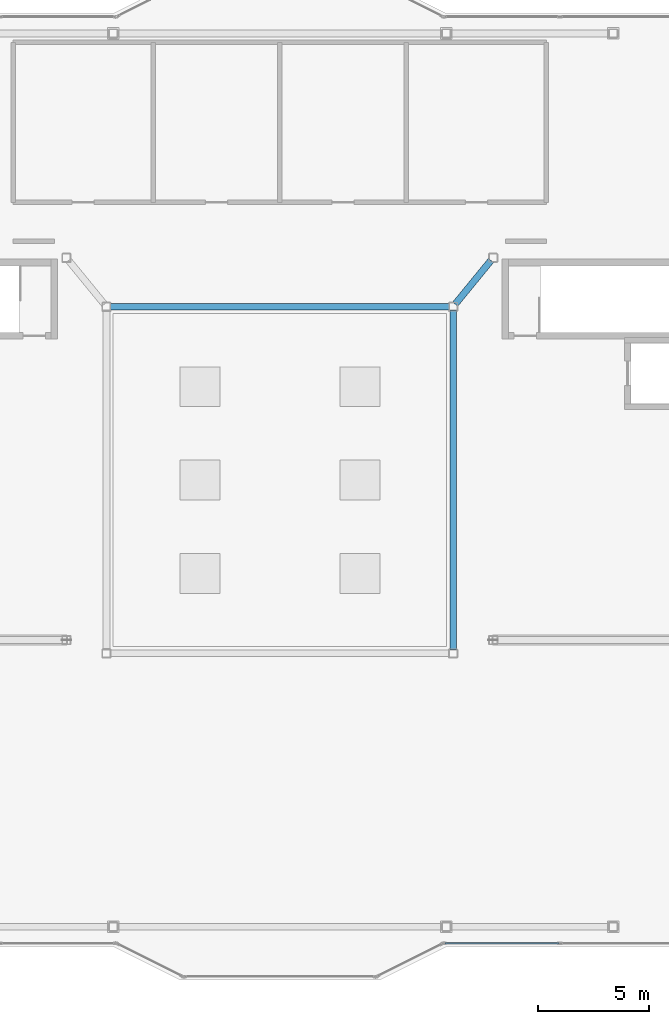
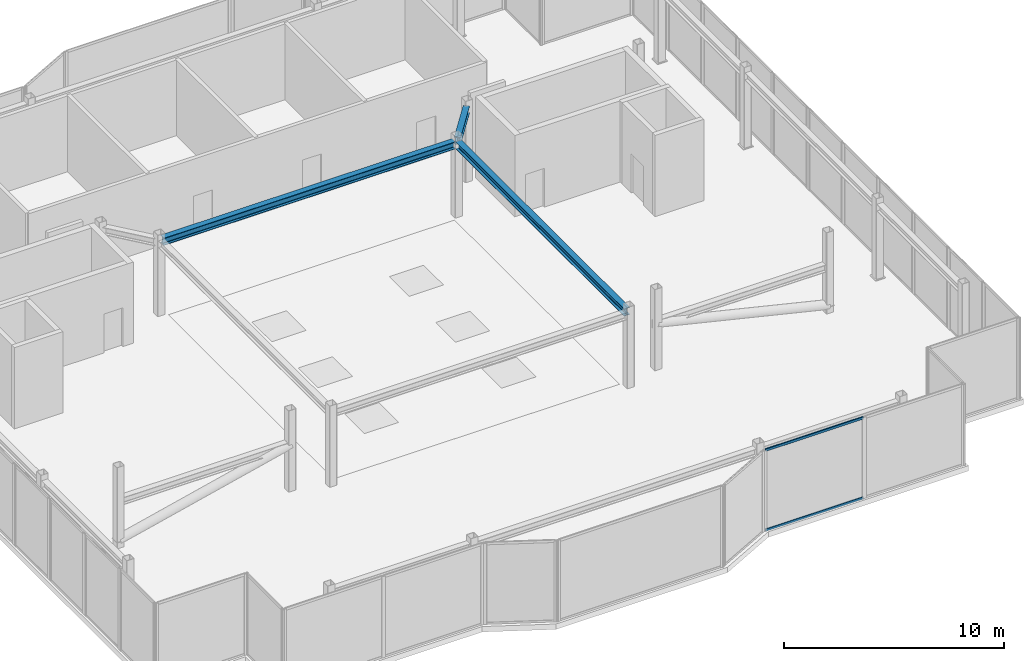
# One storey, part 7 of 18: 3 beams, 2 members, 1 element without a shape of its own.
"""IFC4 building model written with IfcOpenShell, lengths in metres."""

from ifc_helpers import new_model, si_unit, direction, frame, origin, origin_2d, place, context, subcontext, project, spatial, hollow_rectangle, i_section, extrude, material, layer, layer_set, material_profile, profile_set, type_object, element, aggregate, save


model = new_model("IFC4")

# Units and contexts
model_context = context("Model", 3, precision=1e-05, world=origin(), true_north=direction((0.0, 1.0)))
body_context = subcontext(model_context, "Body", "Model", "MODEL_VIEW")
ifc_project = project(units=[si_unit("LENGTHUNIT", "METRE"), si_unit("AREAUNIT", "SQUARE_METRE"), si_unit("VOLUMEUNIT", "CUBIC_METRE"), si_unit("PLANEANGLEUNIT", "RADIAN"), si_unit("MASSUNIT", "GRAM", prefix="KILO")], contexts=[model_context])

# Site, building, storey
site_placement = place(None, origin())
site = spatial("IfcSite", under=ifc_project, at=site_placement, CompositionType="ELEMENT")
building_placement = place(site_placement, origin())
building = spatial("IfcBuilding", under=site, at=building_placement, Name="Tarnavaz Court Tower", CompositionType="ELEMENT")
storey_placement = place(building_placement, frame((0.0, 0.0, 281.550048828125)))
storey = spatial("IfcBuildingStorey", under=building, at=storey_placement, Name="C01", CompositionType="ELEMENT", Elevation=281.550048828125)

# Beams
ifc_material_1 = material(Name="Steel S355", Category="steel")
ifc_material_profile_1 = material_profile(ifc_material_1, i_section(OverallWidth=0.300048828125, OverallDepth=0.39990234375, WebThickness=0.013427734375, FlangeThickness=0.02392578125, FilletRadius=0.027099609375, at=origin_2d()), Name="HEB 400")
ifc_profile_set_1 = profile_set([ifc_material_profile_1], Name="Steel S355")
beam_type = type_object("IfcBeamType", Name="BM-G-HEB400", PredefinedType="USERDEFINED", material=ifc_profile_set_1)
beam_1_placement = place(storey_placement, frame((-7.64990234375, 7.800048828125, 4.0), z_axis=(1.0, 0.0, 0.0), x_axis=(0.0, 1.0, 0.0)))
element("IfcBeam", 1, at=beam_1_placement, inside=storey, type_object=beam_type, Name="C01 Beam CRG-IW-NW-IW-NE", ObjectType="GIRDER", PredefinedType="USERDEFINED", context=body_context, shape_type="SweptSolid", body=[
    extrude(i_section(OverallWidth=0.300048828125, OverallDepth=0.39990234375, WebThickness=0.013427734375, FlangeThickness=0.02392578125, FilletRadius=0.027099609375, at=origin_2d()), origin(), (0.0, 0.0, 1.0), 15.2998046875),
])
beam_2_placement = place(storey_placement, frame((9.5048828125, 9.8837890625, 4.0), z_axis=(-0.633206414362, -0.773982969329, 0.0), x_axis=(0.773982969329, -0.633206414362, 0.0)))
element("IfcBeam", 2, at=beam_2_placement, inside=storey, type_object=beam_type, Name="C01 Beam CRG-CE-NI-IW-NE", ObjectType="GIRDER", PredefinedType="USERDEFINED", context=body_context, shape_type="SweptSolid", body=[
    extrude(i_section(OverallWidth=0.300048828125, OverallDepth=0.39990234375, WebThickness=0.013427734375, FlangeThickness=0.02392578125, FilletRadius=0.027099609375, at=origin_2d()), origin(), (0.0, 0.0, 1.0), 2.54248046875),
])
beam_3_placement = place(storey_placement, frame((7.800048828125, -7.64990234375, 4.0), z_axis=(0.0, 1.0, 0.0), x_axis=(-1.0, 0.0, 0.0)))
element("IfcBeam", 3, at=beam_3_placement, inside=storey, type_object=beam_type, Name="C01 Beam CRG-IW-SE-IW-NE", ObjectType="GIRDER", PredefinedType="USERDEFINED", context=body_context, shape_type="SweptSolid", body=[
    extrude(i_section(OverallWidth=0.300048828125, OverallDepth=0.39990234375, WebThickness=0.013427734375, FlangeThickness=0.02392578125, FilletRadius=0.027099609375, at=origin_2d()), origin(), (0.0, 0.0, 1.0), 15.2998046875),
])

# Curtain wall, members
ifc_material_2 = material(Name="Anodised Aluminium 6063-T6 and Solar Low-E Glazing", Category="aluminium")
ifc_layer = layer(ifc_material_2, 0.2099609375)
ifc_layer_set = layer_set([ifc_layer], Name="Anodised Aluminium 6063-T6 and Solar Low-E Glazing")
curtain_wall_type = type_object("IfcCurtainWallType", Name="CW-SYS-06", PredefinedType="NOTDEFINED", material=ifc_layer_set)
curtain_wall_placement = place(storey_placement, origin())
curtain_wall = element("IfcCurtainWall", 4, at=curtain_wall_placement, inside=storey, type_object=curtain_wall_type, Name="C01 Slanted Crown Terracotta Curtain Wall 37", PredefinedType="NOTDEFINED")
ifc_material_3 = material(Name="Anodised Aluminium 6063-T6", Category="aluminium")
ifc_material_profile_2 = material_profile(ifc_material_3, hollow_rectangle(XDim=0.06494140625, YDim=0.139892578125, WallThickness=0.00390625, InnerFilletRadius=0.00390625, OuterFilletRadius=0.008056640625, at=origin_2d()), Name="ALU RHS 140X65X4")
ifc_profile_set_2 = profile_set([ifc_material_profile_2], Name="Anodised Aluminium 6063-T6")
member_type = type_object("IfcMemberType", Name="CW-TRN-140", PredefinedType="USERDEFINED", material=ifc_profile_set_2)
member_1_placement = place(storey_placement, frame((12.5576171875, -20.85009765625, 0.032470703125), z_axis=(-1.0, 0.0, 0.0), x_axis=(0.0, -1.0, 0.0)))
member_1 = element("IfcMember", 5, at=member_1_placement, type_object=member_type, Name="CW transom 2.1", ObjectType="TRANSOM", PredefinedType="USERDEFINED", context=body_context, shape_type="SweptSolid", body=[
    extrude(hollow_rectangle(XDim=0.06494140625, YDim=0.139892578125, WallThickness=0.00390625, InnerFilletRadius=0.00390625, OuterFilletRadius=0.008056640625, at=origin_2d()), origin(), (0.0, 0.0, 1.0), 5.12255859375),
])
member_2_placement = place(storey_placement, frame((12.5576171875, -20.85009765625, 4.467529296875), z_axis=(-1.0, 0.0, 0.0), x_axis=(0.0, -1.0, 0.0)))
member_2 = element("IfcMember", 6, at=member_2_placement, type_object=member_type, Name="CW transom 2.2", ObjectType="TRANSOM", PredefinedType="USERDEFINED", context=body_context, shape_type="SweptSolid", body=[
    extrude(hollow_rectangle(XDim=0.06494140625, YDim=0.139892578125, WallThickness=0.00390625, InnerFilletRadius=0.00390625, OuterFilletRadius=0.008056640625, at=origin_2d()), origin(), (0.0, 0.0, 1.0), 5.12255859375),
])
aggregate(curtain_wall, [member_1, member_2])

save(model, "model.ifc")
